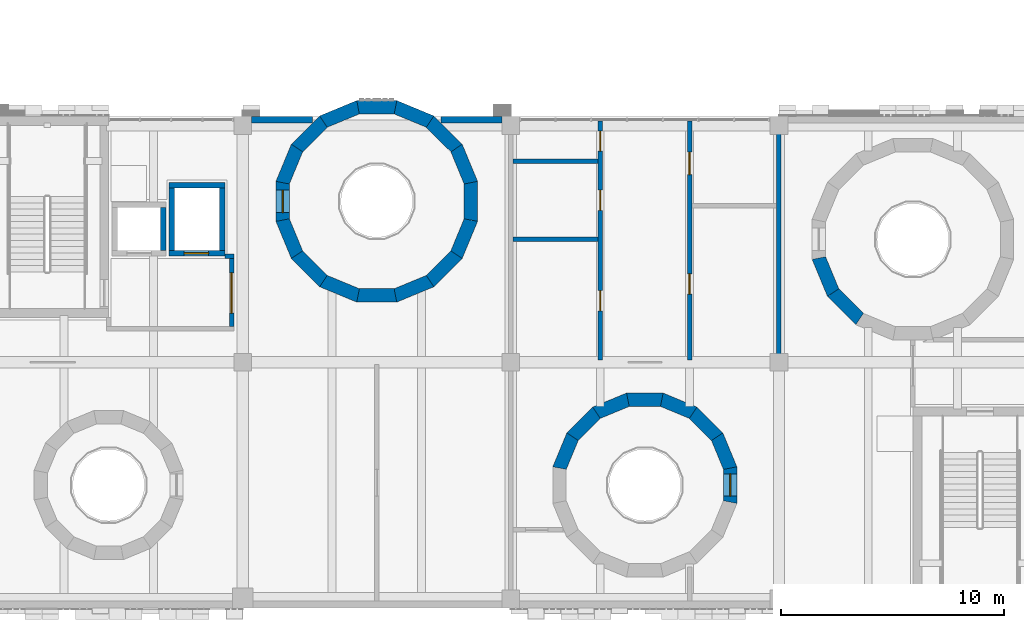
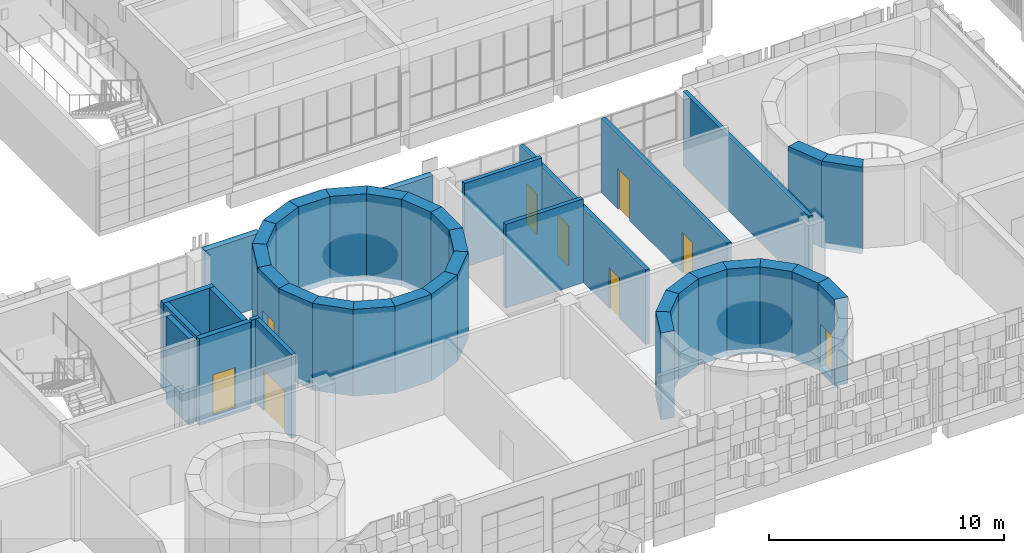
# One storey, part 48 of 92: 40 walls, 9 doors, 9 openings.
"""IFC4 building model written with IfcOpenShell, lengths in metres."""

from ifc_helpers import new_model, si_unit, direction, frame, frame_2d, origin, place, context, subcontext, project, spatial, polyline, rectangle, outline, extrude, material, layer, layer_set, type_object, element, fill, save


model = new_model("IFC4")

# Units and contexts
model_context = context("Model", 3, precision=1e-05, world=origin(), true_north=direction((0.0, 1.0)))
body_context = subcontext(model_context, "Body", "Model", "MODEL_VIEW")
ifc_project = project(units=[si_unit("LENGTHUNIT", "METRE"), si_unit("AREAUNIT", "SQUARE_METRE"), si_unit("VOLUMEUNIT", "CUBIC_METRE"), si_unit("PLANEANGLEUNIT", "RADIAN"), si_unit("MASSUNIT", "GRAM", prefix="KILO")], contexts=[model_context])

# Site, building, storey
site_placement = place(None, origin())
site = spatial("IfcSite", under=ifc_project, at=site_placement, CompositionType="ELEMENT")
building_placement = place(site_placement, origin())
building = spatial("IfcBuilding", under=site, at=building_placement, Name="Sun Court Science Centre", CompositionType="ELEMENT")
storey_placement = place(building_placement, frame((0.0, 0.0, 11.25)))
storey = spatial("IfcBuildingStorey", under=building, at=storey_placement, Name="L02", CompositionType="ELEMENT", Elevation=11.25)

# Walls
ifc_material_1 = material(Name="Clay masonry", Category="masonry")
ifc_layer_1 = layer(ifc_material_1, 0.300048828125)
ifc_layer_set_1 = layer_set([ifc_layer_1], Name="Clay masonry")
wall_type_1 = type_object("IfcWallType", Name="Clay masonry infill wall 300", PredefinedType="SOLIDWALL", material=ifc_layer_set_1)
for number, where, z_axis, x_axis, name in (
    (1, (36.39990234375, 27.85009765625, 0.0), (0.0, 0.0, 1.0), (1.0, 0.0, 0.0), "External infill wall L02 north face 04"),
    (2, (44.88037109375, 27.85009765625, 0.0), (0.0, 0.0, 1.0), (1.0, 0.0, 0.0), "External infill wall L02 north face 05"),
):
    element("IfcWall", number, at=place(storey_placement, frame(where, z_axis=z_axis, x_axis=x_axis)), inside=storey, type_object=wall_type_1, Name=name, PredefinedType="SOLIDWALL", context=body_context, shape_type="SweptSolid", body=[
        extrude(rectangle(XDim=2.7197265625, YDim=0.300048828125, at=frame_2d((1.35986328125, 0.0))), origin(), (0.0, 0.0, 1.0), 3.860107421875),
    ])
ifc_material_2 = material(Name="Concrete block", Category="concrete")
ifc_layer_2 = layer(ifc_material_2, 0.199951171875)
ifc_layer_set_2 = layer_set([ifc_layer_2], Name="Concrete block")
wall_type_2 = type_object("IfcWallType", Name="Partition 200 block EI60", PredefinedType="PARTITIONING", material=ifc_layer_set_2)
wall_1_placement = place(storey_placement, frame((35.201904296875, 21.75, 0.0), z_axis=(0.0, 0.0, 1.0), x_axis=(1.0, 0.0, 0.0)))
element("IfcWall", 3, at=wall_1_placement, inside=storey, type_object=wall_type_2, Name="L02 partition 005", PredefinedType="PARTITIONING", context=body_context, shape_type="SweptSolid", body=[
    extrude(rectangle(XDim=0.398193359375, YDim=0.199951171875, at=frame_2d((0.19921875, 0.0))), origin(), (0.0, 0.0, 1.0), 4.35009765625),
])

# Wall, openings, doors
wall_2_placement = place(storey_placement, frame((56.0, 27.800048828125, 0.0), z_axis=(0.0, 0.0, 1.0), x_axis=(0.0, -1.0, 0.0)))
wall_2 = element("IfcWall", 4, at=wall_2_placement, inside=storey, type_object=wall_type_2, Name="L02 partition 013", PredefinedType="PARTITIONING", context=body_context, shape_type="SweptSolid", body=[
    extrude(rectangle(XDim=10.699951171875, YDim=0.199951171875, at=frame_2d((5.35009765625, 0.0))), origin(), (0.0, 0.0, 1.0), 3.860107421875),
])
opening_1_placement = place(wall_2_placement, frame((6.84912109375, 0.0, 0.0)))
opening_1 = element("IfcOpeningElement", 5, at=opening_1_placement, cuts=wall_2, Name="Opening D-L02-004", PredefinedType="OPENING", context=body_context, shape_type="SweptSolid", body=[
    extrude(rectangle(XDim=0.89990234375, YDim=2.10009765625, at=frame_2d((0.449951171875, 1.050048828125))), frame((0.0, 0.10986328125, 0.0), z_axis=(0.0, -1.0, 0.0), x_axis=(1.0, 0.0, 0.0)), (0.0, 0.0, 1.0), 0.219970703125),
])
opening_2_placement = place(wall_2_placement, frame((1.40087890625, 0.0, 0.0)))
opening_2 = element("IfcOpeningElement", 6, at=opening_2_placement, cuts=wall_2, Name="Opening D-L02-005", PredefinedType="OPENING", context=body_context, shape_type="SweptSolid", body=[
    extrude(rectangle(XDim=1.0, YDim=2.10009765625, at=frame_2d((0.5, 1.050048828125))), frame((0.0, 0.10986328125, 0.0), z_axis=(0.0, -1.0, 0.0), x_axis=(1.0, 0.0, 0.0)), (0.0, 0.0, 1.0), 0.219970703125),
])
ifc_material_3 = material(Name="Steel", Category="steel")
door_type_1 = type_object("IfcDoorType", Name="Door 1000x2100 single leaf FD60", OperationType="NOTDEFINED", PredefinedType="DOOR", material=ifc_material_3)
door_1_placement = place(opening_2_placement, origin())
door_1 = element("IfcDoor", 7, at=door_1_placement, inside=storey, type_object=door_type_1, Name="Door D-L02-005", OperationType="SINGLE_SWING_RIGHT", OverallHeight=2.10009765625, OverallWidth=1.0, PredefinedType="DOOR", context=body_context, shape_type="SweptSolid", body=[
    extrude(rectangle(XDim=1.0, YDim=2.10009765625, at=frame_2d((0.5, 1.050048828125))), frame((0.0, 0.02490234375, 0.0), z_axis=(0.0, -1.0, 0.0), x_axis=(1.0, 0.0, 0.0)), (0.0, 0.0, 1.0), 0.050048828125),
])
fill(opening_2, door_1)
ifc_material_4 = material(Name="Timber", Category="wood")
door_type_2 = type_object("IfcDoorType", Name="Door 900x2100 single leaf", OperationType="NOTDEFINED", PredefinedType="DOOR", material=ifc_material_4)
door_2_placement = place(opening_1_placement, origin())
door_2 = element("IfcDoor", 8, at=door_2_placement, inside=storey, type_object=door_type_2, Name="Door D-L02-004", OperationType="SINGLE_SWING_LEFT", OverallHeight=2.10009765625, OverallWidth=0.89990234375, PredefinedType="DOOR", context=body_context, shape_type="SweptSolid", body=[
    extrude(rectangle(XDim=0.89990234375, YDim=2.10009765625, at=frame_2d((0.449951171875, 1.050048828125))), frame((0.0, 0.02490234375, 0.0), z_axis=(0.0, -1.0, 0.0), x_axis=(1.0, 0.0, 0.0)), (0.0, 0.0, 1.0), 0.050048828125),
])
fill(opening_1, door_2)

wall_3_placement = place(storey_placement, frame((52.0, 17.10009765625, 0.0), z_axis=(0.0, 0.0, 1.0), x_axis=(0.0, 1.0, 0.0)))
wall_3 = element("IfcWall", 9, at=wall_3_placement, inside=storey, type_object=wall_type_2, Name="L02 partition 014", PredefinedType="PARTITIONING", context=body_context, shape_type="SweptSolid", body=[
    extrude(rectangle(XDim=10.699951171875, YDim=0.199951171875, at=frame_2d((5.35009765625, 0.0))), origin(), (0.0, 0.0, 1.0), 3.860107421875),
])
opening_3_placement = place(wall_3_placement, frame((2.200927734375, 0.0, 0.0)))
opening_3 = element("IfcOpeningElement", 10, at=opening_3_placement, cuts=wall_3, Name="Opening D-L02-001", PredefinedType="OPENING", context=body_context, shape_type="SweptSolid", body=[
    extrude(rectangle(XDim=0.89990234375, YDim=2.10009765625, at=frame_2d((0.449951171875, 1.050048828125))), frame((0.0, 0.10986328125, 0.0), z_axis=(0.0, -1.0, 0.0), x_axis=(1.0, 0.0, 0.0)), (0.0, 0.0, 1.0), 0.219970703125),
])
opening_4_placement = place(wall_3_placement, frame((6.699951171875, 0.0, 0.0)))
opening_4 = element("IfcOpeningElement", 11, at=opening_4_placement, cuts=wall_3, Name="Opening D-L02-002", PredefinedType="OPENING", context=body_context, shape_type="SweptSolid", body=[
    extrude(rectangle(XDim=0.89990234375, YDim=2.10009765625, at=frame_2d((0.449951171875, 1.050048828125))), frame((0.0, 0.10986328125, 0.0), z_axis=(0.0, -1.0, 0.0), x_axis=(1.0, 0.0, 0.0)), (0.0, 0.0, 1.0), 0.219970703125),
])
opening_5_placement = place(wall_3_placement, frame((9.34912109375, 0.0, 0.0)))
opening_5 = element("IfcOpeningElement", 12, at=opening_5_placement, cuts=wall_3, Name="Opening D-L02-003", PredefinedType="OPENING", context=body_context, shape_type="SweptSolid", body=[
    extrude(rectangle(XDim=0.89990234375, YDim=2.10009765625, at=frame_2d((0.449951171875, 1.050048828125))), frame((0.0, 0.10986328125, 0.0), z_axis=(0.0, -1.0, 0.0), x_axis=(1.0, 0.0, 0.0)), (0.0, 0.0, 1.0), 0.219970703125),
])
door_3_placement = place(opening_3_placement, origin())
door_3 = element("IfcDoor", 13, at=door_3_placement, inside=storey, type_object=door_type_2, Name="Door D-L02-001", OperationType="SINGLE_SWING_RIGHT", OverallHeight=2.10009765625, OverallWidth=0.89990234375, PredefinedType="DOOR", context=body_context, shape_type="SweptSolid", body=[
    extrude(rectangle(XDim=0.89990234375, YDim=2.10009765625, at=frame_2d((0.449951171875, 1.050048828125))), frame((0.0, 0.02490234375, 0.0), z_axis=(0.0, -1.0, 0.0), x_axis=(1.0, 0.0, 0.0)), (0.0, 0.0, 1.0), 0.050048828125),
])
fill(opening_3, door_3)
door_4_placement = place(opening_4_placement, origin())
door_4 = element("IfcDoor", 14, at=door_4_placement, inside=storey, type_object=door_type_2, Name="Door D-L02-002", OperationType="SINGLE_SWING_LEFT", OverallHeight=2.10009765625, OverallWidth=0.89990234375, PredefinedType="DOOR", context=body_context, shape_type="SweptSolid", body=[
    extrude(rectangle(XDim=0.89990234375, YDim=2.10009765625, at=frame_2d((0.449951171875, 1.050048828125))), frame((0.0, 0.02490234375, 0.0), z_axis=(0.0, -1.0, 0.0), x_axis=(1.0, 0.0, 0.0)), (0.0, 0.0, 1.0), 0.050048828125),
])
fill(opening_4, door_4)
ifc_material_5 = material(Name="Steel", Category="steel")
door_type_3 = type_object("IfcDoorType", Name="Door 900x2100 single leaf FD30S", OperationType="NOTDEFINED", PredefinedType="DOOR", material=ifc_material_5)
door_5_placement = place(opening_5_placement, origin())
door_5 = element("IfcDoor", 15, at=door_5_placement, inside=storey, type_object=door_type_3, Name="Door D-L02-003", OperationType="SINGLE_SWING_LEFT", OverallHeight=2.10009765625, OverallWidth=0.89990234375, PredefinedType="DOOR", context=body_context, shape_type="SweptSolid", body=[
    extrude(rectangle(XDim=0.89990234375, YDim=2.10009765625, at=frame_2d((0.449951171875, 1.050048828125))), frame((0.0, 0.02490234375, 0.0), z_axis=(0.0, -1.0, 0.0), x_axis=(1.0, 0.0, 0.0)), (0.0, 0.0, 1.0), 0.050048828125),
])
fill(opening_5, door_5)

# Wall, opening, door
wall_4_placement = place(storey_placement, frame((35.5, 21.64990234375, 0.0), z_axis=(0.0, 0.0, 1.0), x_axis=(0.0, -1.0, 0.0)))
wall_4 = element("IfcWall", 16, at=wall_4_placement, inside=storey, type_object=wall_type_2, Name="L02 partition 017", PredefinedType="PARTITIONING", context=body_context, shape_type="SweptSolid", body=[
    extrude(rectangle(XDim=3.0498046875, YDim=0.199951171875, at=frame_2d((1.52490234375, 0.0))), origin(), (0.0, 0.0, 1.0), 4.35009765625),
])
opening_6_placement = place(wall_4_placement, frame((0.64990234375, 0.0, 0.0)))
opening_6 = element("IfcOpeningElement", 17, at=opening_6_placement, cuts=wall_4, Name="Opening D-L02-017", PredefinedType="OPENING", context=body_context, shape_type="SweptSolid", body=[
    extrude(rectangle(XDim=1.800048828125, YDim=2.10009765625, at=frame_2d((0.89990234375, 1.050048828125))), frame((0.0, 0.10986328125, 0.0), z_axis=(0.0, -1.0, 0.0), x_axis=(1.0, 0.0, 0.0)), (0.0, 0.0, 1.0), 0.219970703125),
])
ifc_material_6 = material(Name="Steel", Category="steel")
door_type_4 = type_object("IfcDoorType", Name="Door 1800x2100 double leaf FD60", OperationType="DOUBLE_DOOR_SINGLE_SWING", PredefinedType="DOOR", material=ifc_material_6)
door_6_placement = place(opening_6_placement, origin())
door_6 = element("IfcDoor", 18, at=door_6_placement, inside=storey, type_object=door_type_4, Name="Door D-L02-017", OperationType="DOUBLE_DOOR_SINGLE_SWING", OverallHeight=2.10009765625, OverallWidth=1.800048828125, PredefinedType="DOOR", context=body_context, shape_type="SweptSolid", body=[
    extrude(rectangle(XDim=1.800048828125, YDim=2.10009765625, at=frame_2d((0.89990234375, 1.050048828125))), frame((0.0, 0.02490234375, 0.0), z_axis=(0.0, -1.0, 0.0), x_axis=(1.0, 0.0, 0.0)), (0.0, 0.0, 1.0), 0.050048828125),
])
fill(opening_6, door_6)

# Walls
ifc_material_7 = material(Name="Gypsum board")
ifc_layer_3 = layer(ifc_material_7, 0.199951171875)
ifc_layer_set_3 = layer_set([ifc_layer_3], Name="Gypsum board")
wall_type_3 = type_object("IfcWallType", Name="Partition 200 stud EI30", PredefinedType="PARTITIONING", material=ifc_layer_set_3)
for number, where, z_axis, x_axis, name in (
    (19, (48.10009765625, 22.5, 0.0), (0.0, 0.0, 1.0), (1.0, 0.0, 0.0), "L02 partition 006"),
    (20, (48.10009765625, 26.0, 0.0), (0.0, 0.0, 1.0), (1.0, 0.0, 0.0), "L02 partition 009"),
):
    element("IfcWall", number, at=place(storey_placement, frame(where, z_axis=z_axis, x_axis=x_axis)), inside=storey, type_object=wall_type_3, Name=name, PredefinedType="PARTITIONING", context=body_context, shape_type="SweptSolid", body=[
        extrude(rectangle(XDim=3.7998046875, YDim=0.199951171875, at=frame_2d((1.89990234375, 0.0))), origin(), (0.0, 0.0, 1.0), 4.35009765625),
    ])
wall_5_placement = place(storey_placement, frame((60.0, 17.10009765625, 0.0), z_axis=(0.0, 0.0, 1.0), x_axis=(0.0, 1.0, 0.0)))
element("IfcWall", 21, at=wall_5_placement, inside=storey, type_object=wall_type_3, Name="L02 partition 011", PredefinedType="PARTITIONING", context=body_context, shape_type="SweptSolid", body=[
    extrude(rectangle(XDim=10.699951171875, YDim=0.199951171875, at=frame_2d((5.35009765625, 0.0))), origin(), (0.0, 0.0, 1.0), 3.860107421875),
])
ifc_material_8 = material(Name="Concrete C30/37", Category="concrete")
ifc_layer_4 = layer(ifc_material_8, 0.60009765625)
ifc_layer_set_4 = layer_set([ifc_layer_4], Name="Concrete C30/37")
wall_type_4 = type_object("IfcWallType", Name="RC cone ring wall 600", PredefinedType="SHEAR", material=ifc_layer_set_4)
wall_6_placement = place(storey_placement, frame((46.234375, 24.982666015625, -0.300048828125), z_axis=(0.0, 0.0, 1.0), x_axis=(-0.3826441282, 0.92389581185, 0.0)))
element("IfcWall", 22, at=wall_6_placement, inside=storey, type_object=wall_type_4, Name="Cone 4 ring wall L02 segment 1", PredefinedType="SHEAR", context=body_context, shape_type="SweptSolid", body=[
    extrude(outline(polyline([(0.0, -0.300048828125), (1.794677734375, -0.2998046875), (1.67529296875, 0.300048828125), (0.119140625, 0.300048828125), (0.0, -0.300048828125)])), origin(), (0.0, 0.0, 1.0), 4.5),
])
wall_7_placement = place(storey_placement, frame((45.612548828125, 26.54345703125, -0.300048828125), z_axis=(0.0, 0.0, 1.0), x_axis=(-0.707038767261, 0.707174788571, 0.0)))
element("IfcWall", 23, at=wall_7_placement, inside=storey, type_object=wall_type_4, Name="Cone 4 ring wall L02 segment 2", PredefinedType="SHEAR", context=body_context, shape_type="SweptSolid", body=[
    extrude(outline(polyline([(0.0, -0.300048828125), (1.794921875, -0.300048828125), (1.67529296875, 0.300048828125), (0.119140625, 0.2998046875), (0.0, -0.300048828125)])), origin(), (0.0, 0.0, 1.0), 4.5),
])
wall_8_placement = place(storey_placement, frame((44.44091796875, 27.74755859375, -0.300048828125), z_axis=(0.0, 0.0, 1.0), x_axis=(-0.923847718321, 0.382760229587, 0.0)))
element("IfcWall", 24, at=wall_8_placement, inside=storey, type_object=wall_type_4, Name="Cone 4 ring wall L02 segment 3", PredefinedType="SHEAR", context=body_context, shape_type="SweptSolid", body=[
    extrude(outline(polyline([(0.000244140625, -0.300048828125), (1.794921875, -0.2998046875), (1.675537109375, 0.30029296875), (0.119384765625, 0.300048828125), (0.000244140625, -0.300048828125)])), origin(), (0.0, 0.0, 1.0), 4.5),
])
wall_9_placement = place(storey_placement, frame((42.8974609375, 28.41162109375, -0.300048828125), z_axis=(0.0, 0.0, 1.0), x_axis=(-1.0, 0.0, 0.0)))
element("IfcWall", 25, at=wall_9_placement, inside=storey, type_object=wall_type_4, Name="Cone 4 ring wall L02 segment 4", PredefinedType="SHEAR", context=body_context, shape_type="SweptSolid", body=[
    extrude(outline(polyline([(0.0, -0.300048828125), (1.794921875, -0.300048828125), (1.675537109375, 0.300048828125), (0.119384765625, 0.300048828125), (0.0, -0.300048828125)])), origin(), (0.0, 0.0, 1.0), 4.5),
])
wall_10_placement = place(storey_placement, frame((41.21728515625, 28.4345703125, -0.300048828125), z_axis=(0.0, 0.0, 1.0), x_axis=(-0.923847718321, -0.382760229587, 0.0)))
element("IfcWall", 26, at=wall_10_placement, inside=storey, type_object=wall_type_4, Name="Cone 4 ring wall L02 segment 5", PredefinedType="SHEAR", context=body_context, shape_type="SweptSolid", body=[
    extrude(outline(polyline([(0.0, -0.2998046875), (1.794677734375, -0.300048828125), (1.675537109375, 0.300048828125), (0.119384765625, 0.30029296875), (0.0, -0.2998046875)])), origin(), (0.0, 0.0, 1.0), 4.5),
])
wall_11_placement = place(storey_placement, frame((39.656494140625, 27.812744140625, -0.300048828125), z_axis=(0.0, 0.0, 1.0), x_axis=(-0.707038767261, -0.707174788571, 0.0)))
element("IfcWall", 27, at=wall_11_placement, inside=storey, type_object=wall_type_4, Name="Cone 4 ring wall L02 segment 6", PredefinedType="SHEAR", context=body_context, shape_type="SweptSolid", body=[
    extrude(outline(polyline([(0.0, -0.300048828125), (1.794921875, -0.300048828125), (1.675537109375, 0.2998046875), (0.119384765625, 0.300048828125), (0.0, -0.300048828125)])), origin(), (0.0, 0.0, 1.0), 4.5),
])
wall_12_placement = place(storey_placement, frame((38.452392578125, 26.640869140625, -0.300048828125), z_axis=(0.0, 0.0, 1.0), x_axis=(-0.3826441282, -0.92389581185, 0.0)))
element("IfcWall", 28, at=wall_12_placement, inside=storey, type_object=wall_type_4, Name="Cone 4 ring wall L02 segment 7", PredefinedType="SHEAR", context=body_context, shape_type="SweptSolid", body=[
    extrude(outline(polyline([(0.0, -0.2998046875), (1.794921875, -0.300048828125), (1.675537109375, 0.300048828125), (0.119384765625, 0.300048828125), (0.0, -0.2998046875)])), origin(), (0.0, 0.0, 1.0), 4.5),
])

# Wall, opening, door
wall_13_placement = place(storey_placement, frame((37.788330078125, 25.097412109375, -0.300048828125), z_axis=(0.0, 0.0, 1.0), x_axis=(0.0, -1.0, 0.0)))
wall_13 = element("IfcWall", 29, at=wall_13_placement, inside=storey, type_object=wall_type_4, Name="Cone 4 ring wall L02 segment 8", PredefinedType="SHEAR", context=body_context, shape_type="SweptSolid", body=[
    extrude(outline(polyline([(0.0, -0.300048828125), (1.794921875, -0.300048828125), (1.675537109375, 0.300048828125), (0.119384765625, 0.300048828125), (0.0, -0.300048828125)])), origin(), (0.0, 0.0, 1.0), 4.5),
])
opening_7_placement = place(wall_13_placement, frame((0.3974609375, 0.0, 0.300048828125)))
opening_7 = element("IfcOpeningElement", 30, at=opening_7_placement, cuts=wall_13, Name="Opening D-L02-024", PredefinedType="OPENING", context=body_context, shape_type="SweptSolid", body=[
    extrude(rectangle(XDim=1.0, YDim=2.199951171875, at=frame_2d((0.5, 1.10009765625))), frame((0.0, 0.31005859375, 0.0), z_axis=(0.0, -1.0, 0.0), x_axis=(1.0, 0.0, 0.0)), (0.0, 0.0, 1.0), 0.6201171875),
])
ifc_material_9 = material(Name="Timber", Category="wood")
door_type_5 = type_object("IfcDoorType", Name="Door 1000x2200 single leaf", OperationType="NOTDEFINED", PredefinedType="DOOR", material=ifc_material_9)
door_7_placement = place(opening_7_placement, origin())
door_7 = element("IfcDoor", 31, at=door_7_placement, inside=storey, type_object=door_type_5, Name="Door D-L02-024", OperationType="SINGLE_SWING_LEFT", OverallHeight=2.199951171875, OverallWidth=1.0, PredefinedType="DOOR", context=body_context, shape_type="SweptSolid", body=[
    extrude(rectangle(XDim=1.0, YDim=2.199951171875, at=frame_2d((0.5, 1.10009765625))), frame((0.0, 0.02490234375, 0.0), z_axis=(0.0, -1.0, 0.0), x_axis=(1.0, 0.0, 0.0)), (0.0, 0.0, 1.0), 0.050048828125),
])
fill(opening_7, door_7)

# Walls
wall_14_placement = place(storey_placement, frame((37.765625, 23.41748046875, -0.300048828125), z_axis=(0.0, 0.0, 1.0), x_axis=(0.3826441282, -0.92389581185, 0.0)))
element("IfcWall", 32, at=wall_14_placement, inside=storey, type_object=wall_type_4, Name="Cone 4 ring wall L02 segment 9", PredefinedType="SHEAR", context=body_context, shape_type="SweptSolid", body=[
    extrude(outline(polyline([(0.0, -0.30029296875), (1.794921875, -0.300048828125), (1.675537109375, 0.2998046875), (0.119384765625, 0.2998046875), (0.0, -0.30029296875)])), origin(), (0.0, 0.0, 1.0), 4.5),
])
wall_15_placement = place(storey_placement, frame((38.387451171875, 21.8564453125, -0.300048828125), z_axis=(0.0, 0.0, 1.0), x_axis=(0.707106781187, -0.707106781187, 0.0)))
element("IfcWall", 33, at=wall_15_placement, inside=storey, type_object=wall_type_4, Name="Cone 4 ring wall L02 segment 10", PredefinedType="SHEAR", context=body_context, shape_type="SweptSolid", body=[
    extrude(outline(polyline([(0.0, -0.300048828125), (1.794677734375, -0.300048828125), (1.67529296875, 0.2998046875), (0.119384765625, 0.2998046875), (0.0, -0.300048828125)])), origin(), (0.0, 0.0, 1.0), 4.5),
])
for number, where, z_axis, x_axis, name in (
    (34, (39.55908203125, 20.65234375, -0.300048828125), (0.0, 0.0, 1.0), (0.92389581185, -0.3826441282, 0.0), "Cone 4 ring wall L02 segment 11"),
    (35, (41.1025390625, 19.98828125, -0.300048828125), (0.0, 0.0, 1.0), (1.0, 0.0, 0.0), "Cone 4 ring wall L02 segment 12"),
):
    element("IfcWall", number, at=place(storey_placement, frame(where, z_axis=z_axis, x_axis=x_axis)), inside=storey, type_object=wall_type_4, Name=name, PredefinedType="SHEAR", context=body_context, shape_type="SweptSolid", body=[
        extrude(outline(polyline([(0.0, -0.2998046875), (1.794921875, -0.2998046875), (1.675537109375, 0.300048828125), (0.119384765625, 0.300048828125), (0.0, -0.2998046875)])), origin(), (0.0, 0.0, 1.0), 4.5),
    ])
wall_16_placement = place(storey_placement, frame((42.78271484375, 19.965576171875, -0.300048828125), z_axis=(0.0, 0.0, 1.0), x_axis=(0.92389581185, 0.3826441282, 0.0)))
element("IfcWall", 36, at=wall_16_placement, inside=storey, type_object=wall_type_4, Name="Cone 4 ring wall L02 segment 13", PredefinedType="SHEAR", context=body_context, shape_type="SweptSolid", body=[
    extrude(outline(polyline([(0.0, -0.2998046875), (1.794677734375, -0.2998046875), (1.67529296875, 0.300048828125), (0.119140625, 0.300048828125), (0.0, -0.2998046875)])), origin(), (0.0, 0.0, 1.0), 4.5),
])
wall_17_placement = place(storey_placement, frame((44.343505859375, 20.58740234375, -0.300048828125), z_axis=(0.0, 0.0, 1.0), x_axis=(0.707106781187, 0.707106781187, 0.0)))
element("IfcWall", 37, at=wall_17_placement, inside=storey, type_object=wall_type_4, Name="Cone 4 ring wall L02 segment 14", PredefinedType="SHEAR", context=body_context, shape_type="SweptSolid", body=[
    extrude(outline(polyline([(0.0, -0.300048828125), (1.794677734375, -0.300048828125), (1.67529296875, 0.2998046875), (0.119384765625, 0.2998046875), (0.0, -0.300048828125)])), origin(), (0.0, 0.0, 1.0), 4.5),
])
wall_18_placement = place(storey_placement, frame((45.547607421875, 21.75927734375, -0.300048828125), z_axis=(0.0, 0.0, 1.0), x_axis=(0.3826441282, 0.92389581185, 0.0)))
element("IfcWall", 38, at=wall_18_placement, inside=storey, type_object=wall_type_4, Name="Cone 4 ring wall L02 segment 15", PredefinedType="SHEAR", context=body_context, shape_type="SweptSolid", body=[
    extrude(outline(polyline([(-0.000244140625, -0.300048828125), (1.794677734375, -0.30029296875), (1.67529296875, 0.2998046875), (0.119140625, 0.2998046875), (-0.000244140625, -0.300048828125)])), origin(), (0.0, 0.0, 1.0), 4.5),
])
wall_19_placement = place(storey_placement, frame((46.211669921875, 23.302490234375, -0.300048828125), z_axis=(0.0, 0.0, 1.0), x_axis=(0.0, 1.0, 0.0)))
element("IfcWall", 39, at=wall_19_placement, inside=storey, type_object=wall_type_4, Name="Cone 4 ring wall L02 segment 16", PredefinedType="SHEAR", context=body_context, shape_type="SweptSolid", body=[
    extrude(outline(polyline([(0.0, -0.300048828125), (1.794921875, -0.300048828125), (1.675537109375, 0.300048828125), (0.119384765625, 0.300048828125), (0.0, -0.300048828125)])), origin(), (0.0, 0.0, 1.0), 4.5),
])
wall_20_placement = place(storey_placement, frame((57.842041015625, 12.20458984375, -0.300048828125), z_axis=(0.0, 0.0, 1.0), x_axis=(-0.382614973625, 0.923907886078, 0.0)))
element("IfcWall", 40, at=wall_20_placement, inside=storey, type_object=wall_type_4, Name="Cone 5 ring wall L02 segment 1", PredefinedType="SHEAR", context=body_context, shape_type="SweptSolid", body=[
    extrude(outline(polyline([(0.0, -0.300048828125), (1.638916015625, -0.300048828125), (1.519287109375, 0.30029296875), (0.119140625, 0.300048828125), (0.0, -0.300048828125)])), origin(), (0.0, 0.0, 1.0), 4.5),
])
wall_21_placement = place(storey_placement, frame((57.280029296875, 13.621337890625, -0.300048828125), z_axis=(0.0, 0.0, 1.0), x_axis=(-0.707106781187, 0.707106781187, 0.0)))
element("IfcWall", 41, at=wall_21_placement, inside=storey, type_object=wall_type_4, Name="Cone 5 ring wall L02 segment 2", PredefinedType="SHEAR", context=body_context, shape_type="SweptSolid", body=[
    extrude(outline(polyline([(0.0, -0.300048828125), (1.638671875, -0.300048828125), (1.519287109375, 0.30029296875), (0.119384765625, 0.30029296875), (0.0, -0.300048828125)])), origin(), (0.0, 0.0, 1.0), 4.5),
])
wall_22_placement = place(storey_placement, frame((56.218505859375, 14.715087890625, -0.300048828125), z_axis=(0.0, 0.0, 1.0), x_axis=(-0.923907886078, 0.382614973625, 0.0)))
element("IfcWall", 42, at=wall_22_placement, inside=storey, type_object=wall_type_4, Name="Cone 5 ring wall L02 segment 3", PredefinedType="SHEAR", context=body_context, shape_type="SweptSolid", body=[
    extrude(outline(polyline([(-0.000244140625, -0.300048828125), (1.638671875, -0.300048828125), (1.519287109375, 0.300048828125), (0.119384765625, 0.30029296875), (-0.000244140625, -0.300048828125)])), origin(), (0.0, 0.0, 1.0), 4.5),
])
wall_23_placement = place(storey_placement, frame((54.8193359375, 15.3193359375, -0.300048828125), z_axis=(0.0, 0.0, 1.0), x_axis=(-1.0, 0.0, 0.0)))
element("IfcWall", 43, at=wall_23_placement, inside=storey, type_object=wall_type_4, Name="Cone 5 ring wall L02 segment 4", PredefinedType="SHEAR", context=body_context, shape_type="SweptSolid", body=[
    extrude(outline(polyline([(0.0, -0.300048828125), (1.638671875, -0.300048828125), (1.519287109375, 0.300048828125), (0.119384765625, 0.300048828125), (0.0, -0.300048828125)])), origin(), (0.0, 0.0, 1.0), 4.5),
])
wall_24_placement = place(storey_placement, frame((53.29541015625, 15.342041015625, -0.300048828125), z_axis=(0.0, 0.0, 1.0), x_axis=(-0.923907886078, -0.382614973625, 0.0)))
element("IfcWall", 44, at=wall_24_placement, inside=storey, type_object=wall_type_4, Name="Cone 5 ring wall L02 segment 5", PredefinedType="SHEAR", context=body_context, shape_type="SweptSolid", body=[
    extrude(outline(polyline([(0.0, -0.300048828125), (1.638916015625, -0.300048828125), (1.519287109375, 0.30029296875), (0.119140625, 0.300048828125), (0.0, -0.300048828125)])), origin(), (0.0, 0.0, 1.0), 4.5),
])
wall_25_placement = place(storey_placement, frame((51.878662109375, 14.780029296875, -0.300048828125), z_axis=(0.0, 0.0, 1.0), x_axis=(-0.707106781187, -0.707106781187, 0.0)))
element("IfcWall", 45, at=wall_25_placement, inside=storey, type_object=wall_type_4, Name="Cone 5 ring wall L02 segment 6", PredefinedType="SHEAR", context=body_context, shape_type="SweptSolid", body=[
    extrude(outline(polyline([(0.0, -0.300048828125), (1.638671875, -0.300048828125), (1.519287109375, 0.30029296875), (0.119384765625, 0.30029296875), (0.0, -0.300048828125)])), origin(), (0.0, 0.0, 1.0), 4.5),
])
wall_26_placement = place(storey_placement, frame((50.784912109375, 13.718505859375, -0.300048828125), z_axis=(0.0, 0.0, 1.0), x_axis=(-0.382614973625, -0.923907886078, 0.0)))
element("IfcWall", 46, at=wall_26_placement, inside=storey, type_object=wall_type_4, Name="Cone 5 ring wall L02 segment 7", PredefinedType="SHEAR", context=body_context, shape_type="SweptSolid", body=[
    extrude(outline(polyline([(-0.000244140625, -0.300048828125), (1.638671875, -0.300048828125), (1.519287109375, 0.300048828125), (0.119384765625, 0.30029296875), (-0.000244140625, -0.300048828125)])), origin(), (0.0, 0.0, 1.0), 4.5),
])

# Wall, opening, door
wall_27_placement = place(storey_placement, frame((57.8193359375, 10.6806640625, -0.300048828125), z_axis=(0.0, 0.0, 1.0), x_axis=(0.0, 1.0, 0.0)))
wall_27 = element("IfcWall", 47, at=wall_27_placement, inside=storey, type_object=wall_type_4, Name="Cone 5 ring wall L02 segment 16", PredefinedType="SHEAR", context=body_context, shape_type="SweptSolid", body=[
    extrude(outline(polyline([(0.0, -0.300048828125), (1.638671875, -0.300048828125), (1.519287109375, 0.300048828125), (0.119384765625, 0.300048828125), (0.0, -0.300048828125)])), origin(), (0.0, 0.0, 1.0), 4.5),
])
opening_8_placement = place(wall_27_placement, frame((0.3193359375, 0.0, 0.300048828125)))
opening_8 = element("IfcOpeningElement", 48, at=opening_8_placement, cuts=wall_27, Name="Opening D-L02-025", PredefinedType="OPENING", context=body_context, shape_type="SweptSolid", body=[
    extrude(rectangle(XDim=1.0, YDim=2.199951171875, at=frame_2d((0.5, 1.10009765625))), frame((0.0, 0.31005859375, 0.0), z_axis=(0.0, -1.0, 0.0), x_axis=(1.0, 0.0, 0.0)), (0.0, 0.0, 1.0), 0.6201171875),
])
door_8_placement = place(opening_8_placement, origin())
door_8 = element("IfcDoor", 49, at=door_8_placement, inside=storey, type_object=door_type_5, Name="Door D-L02-025", OperationType="SINGLE_SWING_LEFT", OverallHeight=2.199951171875, OverallWidth=1.0, PredefinedType="DOOR", context=body_context, shape_type="SweptSolid", body=[
    extrude(rectangle(XDim=1.0, YDim=2.199951171875, at=frame_2d((0.5, 1.10009765625))), frame((0.0, 0.02490234375, 0.0), z_axis=(0.0, -1.0, 0.0), x_axis=(1.0, 0.0, 0.0)), (0.0, 0.0, 1.0), 0.050048828125),
])
fill(opening_8, door_8)

# Walls
wall_28_placement = place(storey_placement, frame((61.765625, 21.71728515625, -0.300048828125), z_axis=(0.0, 0.0, 1.0), x_axis=(0.3826441282, -0.92389581185, 0.0)))
element("IfcWall", 50, at=wall_28_placement, inside=storey, type_object=wall_type_4, Name="Cone 6 ring wall L02 segment 9", PredefinedType="SHEAR", context=body_context, shape_type="SweptSolid", body=[
    extrude(outline(polyline([(0.0, -0.300048828125), (1.794677734375, -0.2998046875), (1.67529296875, 0.300048828125), (0.119140625, 0.300048828125), (0.0, -0.300048828125)])), origin(), (0.0, 0.0, 1.0), 4.5),
])
wall_29_placement = place(storey_placement, frame((62.387451171875, 20.156494140625, -0.300048828125), z_axis=(0.0, 0.0, 1.0), x_axis=(0.707106781187, -0.707106781187, 0.0)))
element("IfcWall", 51, at=wall_29_placement, inside=storey, type_object=wall_type_4, Name="Cone 6 ring wall L02 segment 10", PredefinedType="SHEAR", context=body_context, shape_type="SweptSolid", body=[
    extrude(outline(polyline([(0.0, -0.300048828125), (1.794677734375, -0.300048828125), (1.67529296875, 0.2998046875), (0.119384765625, 0.2998046875), (0.0, -0.300048828125)])), origin(), (0.0, 0.0, 1.0), 4.5),
])
ifc_material_10 = material(Name="Concrete C30/37", Category="concrete")
ifc_layer_5 = layer(ifc_material_10, 0.25)
ifc_layer_set_5 = layer_set([ifc_layer_5], Name="Concrete C30/37")
wall_type_5 = type_object("IfcWallType", Name="RC shaft wall 250", PredefinedType="SHEAR", material=ifc_layer_set_5)
wall_30_placement = place(storey_placement, frame((32.447509765625, 21.99755859375, -0.300048828125), z_axis=(0.0, 0.0, 1.0), x_axis=(0.0, 1.0, 0.0)))
element("IfcWall", 52, at=wall_30_placement, inside=storey, type_object=wall_type_5, Name="Lift core LB1 wall E, L02", PredefinedType="SHEAR", context=body_context, shape_type="SweptSolid", body=[
    extrude(rectangle(XDim=1.925048828125, YDim=0.25, at=frame_2d((0.96240234375, 0.0))), origin(), (0.0, 0.0, 1.0), 4.5),
])

# Wall, opening, door
wall_31_placement = place(storey_placement, frame((32.699951171875, 21.875, -0.300048828125), z_axis=(0.0, 0.0, 1.0), x_axis=(1.0, 0.0, 0.0)))
wall_31 = element("IfcWall", 53, at=wall_31_placement, inside=storey, type_object=wall_type_5, Name="Lift core LB2 wall S, L02", PredefinedType="SHEAR", context=body_context, shape_type="SweptSolid", body=[
    extrude(rectangle(XDim=2.5, YDim=0.25, at=frame_2d((1.25, 0.0))), origin(), (0.0, 0.0, 1.0), 4.5),
])
opening_9_placement = place(wall_31_placement, frame((0.674072265625, 0.0, 0.300048828125)))
opening_9 = element("IfcOpeningElement", 54, at=opening_9_placement, cuts=wall_31, Name="Opening D-L02-010", PredefinedType="OPENING", context=body_context, shape_type="SweptSolid", body=[
    extrude(rectangle(XDim=1.10009765625, YDim=2.10009765625, at=frame_2d((0.550048828125, 1.050048828125))), frame((0.0, 0.135009765625, 0.0), z_axis=(0.0, -1.0, 0.0), x_axis=(1.0, 0.0, 0.0)), (0.0, 0.0, 1.0), 0.27001953125),
])
ifc_material_11 = material(Name="Steel", Category="steel")
door_type_6 = type_object("IfcDoorType", Name="Lift landing door 1100x2100 sliding", OperationType="DOUBLE_DOOR_SLIDING", PredefinedType="DOOR", material=ifc_material_11)
door_9_placement = place(opening_9_placement, origin())
door_9 = element("IfcDoor", 55, at=door_9_placement, inside=storey, type_object=door_type_6, Name="Lift landing door D-L02-010", OperationType="DOUBLE_DOOR_SLIDING", OverallHeight=2.10009765625, OverallWidth=1.10009765625, PredefinedType="DOOR", context=body_context, shape_type="SweptSolid", body=[
    extrude(rectangle(XDim=1.10009765625, YDim=2.10009765625, at=frame_2d((0.550048828125, 1.050048828125))), frame((0.0, 0.02490234375, 0.0), z_axis=(0.0, -1.0, 0.0), x_axis=(1.0, 0.0, 0.0)), (0.0, 0.0, 1.0), 0.050048828125),
])
fill(opening_9, door_9)

# Walls
wall_32_placement = place(storey_placement, frame((35.074951171875, 22.0, -0.300048828125), z_axis=(0.0, 0.0, 1.0), x_axis=(0.0, 1.0, 0.0)))
element("IfcWall", 56, at=wall_32_placement, inside=storey, type_object=wall_type_5, Name="Lift core LB2 wall E, L02", PredefinedType="SHEAR", context=body_context, shape_type="SweptSolid", body=[
    extrude(rectangle(XDim=2.800048828125, YDim=0.25, at=frame_2d((1.39990234375, 0.0))), origin(), (0.0, 0.0, 1.0), 4.5),
])
wall_33_placement = place(storey_placement, frame((32.699951171875, 24.925048828125, -0.300048828125), z_axis=(0.0, 0.0, 1.0), x_axis=(1.0, 0.0, 0.0)))
element("IfcWall", 57, at=wall_33_placement, inside=storey, type_object=wall_type_5, Name="Lift core LB2 wall N, L02", PredefinedType="SHEAR", context=body_context, shape_type="SweptSolid", body=[
    extrude(rectangle(XDim=2.5, YDim=0.25, at=frame_2d((1.25, 0.0))), origin(), (0.0, 0.0, 1.0), 4.5),
])
wall_34_placement = place(storey_placement, frame((32.824951171875, 22.0, -0.300048828125), z_axis=(0.0, 0.0, 1.0), x_axis=(0.0, 1.0, 0.0)))
element("IfcWall", 58, at=wall_34_placement, inside=storey, type_object=wall_type_5, Name="Lift core LB2 wall W, L02", PredefinedType="SHEAR", context=body_context, shape_type="SweptSolid", body=[
    extrude(rectangle(XDim=2.800048828125, YDim=0.25, at=frame_2d((1.39990234375, 0.0))), origin(), (0.0, 0.0, 1.0), 4.5),
])

save(model, "model.ifc")
